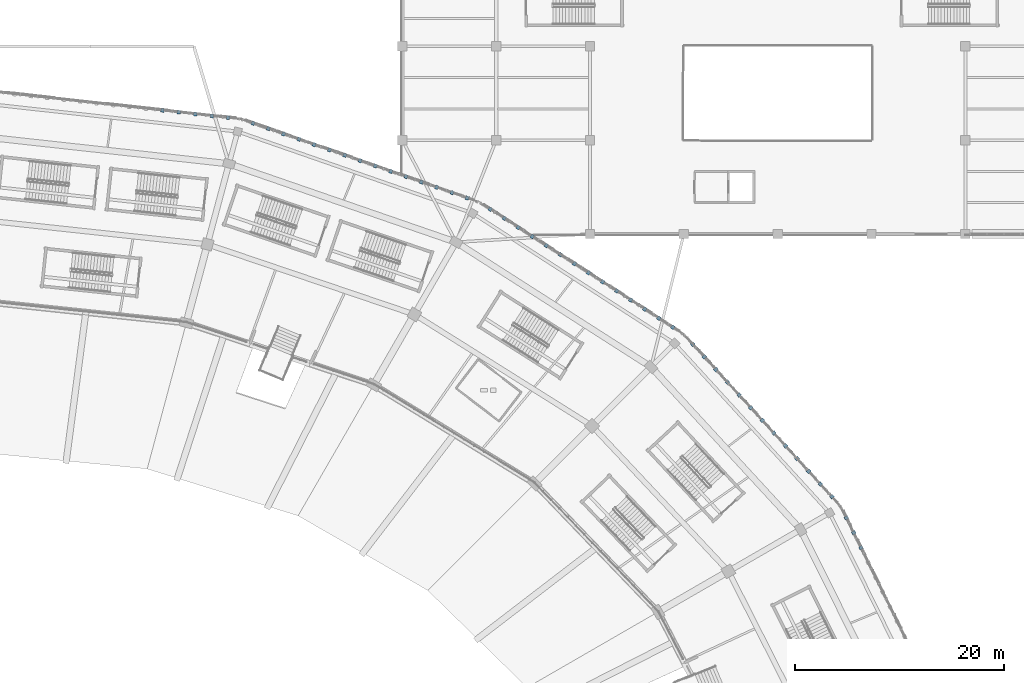
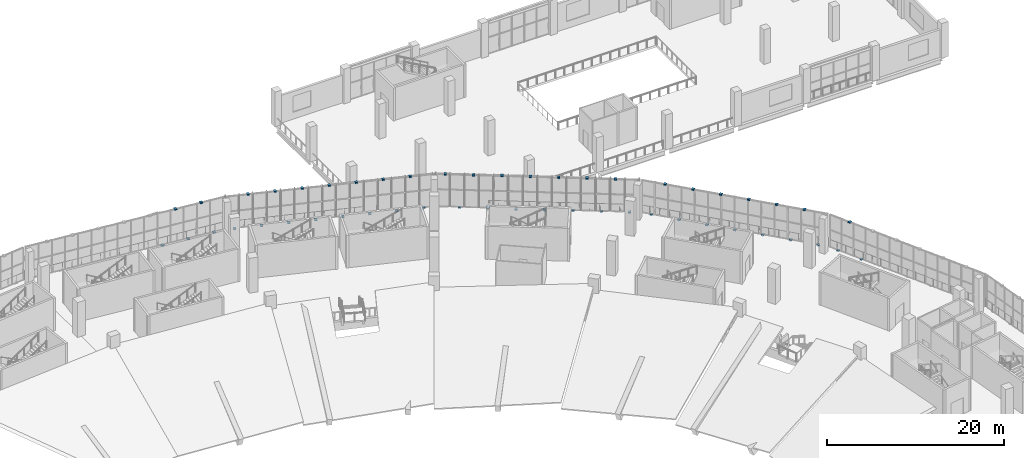
# One storey, part 124 of 183: 50 discrete accessories.
"""IFC4 building model written with IfcOpenShell, lengths in metres."""

from ifc_helpers import new_model, si_unit, direction, frame, origin, origin_2d, place, context, subcontext, project, spatial, rectangle, extrude, material, layer, layer_set, type_object, element, save


model = new_model("IFC4")

# Units and contexts
model_context = context("Model", 3, precision=1e-05, world=origin(), true_north=direction((0.0, 1.0)))
body_context = subcontext(model_context, "Body", "Model", "MODEL_VIEW")
ifc_project = project(units=[si_unit("LENGTHUNIT", "METRE"), si_unit("AREAUNIT", "SQUARE_METRE"), si_unit("VOLUMEUNIT", "CUBIC_METRE"), si_unit("PLANEANGLEUNIT", "RADIAN"), si_unit("MASSUNIT", "GRAM", prefix="KILO")], contexts=[model_context])

# Site, building, storey
site_placement = place(None, origin())
site = spatial("IfcSite", under=ifc_project, at=site_placement, CompositionType="ELEMENT")
building_placement = place(site_placement, origin())
building = spatial("IfcBuilding", under=site, at=building_placement, Name="Zevraka Park Crest Stadium", CompositionType="ELEMENT")
storey_placement = place(building_placement, frame((0.0, 0.0, 5.39990234375)))
storey = spatial("IfcBuildingStorey", under=building, at=storey_placement, Name="L01", CompositionType="ELEMENT", Elevation=5.39990234375)

# Discrete accessories
ifc_material = material(Name="Galvanised steel bracketry", Category="steel")
ifc_layer = layer(ifc_material, 0.1201171875)
ifc_layer_set = layer_set([ifc_layer], Name="Galvanised steel bracketry")
discrete_accessory_type = type_object("IfcDiscreteAccessoryType", Name="BRK01", PredefinedType="BRACKET", material=ifc_layer_set)
for number, where, z_axis, x_axis, name in (
    (1, (195.989013671875, 127.924072265625, -0.15966796875), (0.0, 0.0, 1.0), (-0.441505852792, 0.897258369674, 0.0), "Bronze Screen Carrier Bracket BRK01 L01-01-11"),
    (2, (195.291015625, 129.343017578125, 4.38037109375), (0.0, 0.0, 1.0), (-0.441505852792, 0.897258369674, 0.0), "Bronze Screen Carrier Bracket BRK01 L01-01-12"),
    (3, (194.593017578125, 130.760986328125, -0.15966796875), (0.0, 0.0, 1.0), (-0.441505852792, 0.897258369674, 0.0), "Bronze Screen Carrier Bracket BRK01 L01-01-13"),
    (4, (193.196044921875, 132.802978515625, -0.15966796875), (0.0, 0.0, 1.0), (-0.673657707057, 0.739043499209, 0.0), "Bronze Screen Carrier Bracket BRK01 L01-02-1"),
    (5, (192.083984375, 134.02294921875, 4.38037109375), (0.0, 0.0, 1.0), (-0.673657707057, 0.739043499209, 0.0), "Bronze Screen Carrier Bracket BRK01 L01-02-2"),
    (6, (190.970947265625, 135.242919921875, -0.15966796875), (0.0, 0.0, 1.0), (-0.673657707057, 0.739043499209, 0.0), "Bronze Screen Carrier Bracket BRK01 L01-02-3"),
    (7, (189.85888671875, 136.462890625, 4.38037109375), (0.0, 0.0, 1.0), (-0.673657707057, 0.739043499209, 0.0), "Bronze Screen Carrier Bracket BRK01 L01-02-4"),
    (8, (188.7470703125, 137.68310546875, -0.15966796875), (0.0, 0.0, 1.0), (-0.673657707057, 0.739043499209, 0.0), "Bronze Screen Carrier Bracket BRK01 L01-02-5"),
    (9, (187.635009765625, 138.903076171875, 4.38037109375), (0.0, 0.0, 1.0), (-0.673657707057, 0.739043499209, 0.0), "Bronze Screen Carrier Bracket BRK01 L01-02-6"),
    (10, (186.52197265625, 140.1240234375, -0.15966796875), (0.0, 0.0, 1.0), (-0.673657707057, 0.739043499209, 0.0), "Bronze Screen Carrier Bracket BRK01 L01-02-7"),
    (11, (185.409912109375, 141.343994140625, 4.38037109375), (0.0, 0.0, 1.0), (-0.673657707057, 0.739043499209, 0.0), "Bronze Screen Carrier Bracket BRK01 L01-02-8"),
    (12, (184.298095703125, 142.56396484375, -0.15966796875), (0.0, 0.0, 1.0), (-0.673657707057, 0.739043499209, 0.0), "Bronze Screen Carrier Bracket BRK01 L01-02-9"),
    (13, (183.18603515625, 143.783935546875, 4.38037109375), (0.0, 0.0, 1.0), (-0.673657707057, 0.739043499209, 0.0), "Bronze Screen Carrier Bracket BRK01 L01-02-10"),
    (14, (182.073974609375, 145.00390625, -0.15966796875), (0.0, 0.0, 1.0), (-0.673657707057, 0.739043499209, 0.0), "Bronze Screen Carrier Bracket BRK01 L01-02-11"),
    (15, (180.9609375, 146.22412109375, 4.38037109375), (0.0, 0.0, 1.0), (-0.673657707057, 0.739043499209, 0.0), "Bronze Screen Carrier Bracket BRK01 L01-02-12"),
    (16, (179.84912109375, 147.444091796875, -0.15966796875), (0.0, 0.0, 1.0), (-0.673657707057, 0.739043499209, 0.0), "Bronze Screen Carrier Bracket BRK01 L01-02-13"),
    (17, (177.948974609375, 149.056884765625, -0.15966796875), (0.0, 0.0, 1.0), (-0.839998867196, 0.542588152386, 0.0), "Bronze Screen Carrier Bracket BRK01 L01-03-1"),
    (18, (176.60009765625, 149.927978515625, 4.38037109375), (0.0, 0.0, 1.0), (-0.839998867196, 0.542588152386, 0.0), "Bronze Screen Carrier Bracket BRK01 L01-03-2"),
    (19, (175.251953125, 150.799072265625, -0.15966796875), (0.0, 0.0, 1.0), (-0.839998867196, 0.542588152386, 0.0), "Bronze Screen Carrier Bracket BRK01 L01-03-3"),
    (20, (173.903076171875, 151.669921875, 4.38037109375), (0.0, 0.0, 1.0), (-0.839998867196, 0.542588152386, 0.0), "Bronze Screen Carrier Bracket BRK01 L01-03-4"),
    (21, (172.554931640625, 152.541015625, -0.15966796875), (0.0, 0.0, 1.0), (-0.839998867196, 0.542588152386, 0.0), "Bronze Screen Carrier Bracket BRK01 L01-03-5"),
    (22, (171.20703125, 153.412109375, 4.38037109375), (0.0, 0.0, 1.0), (-0.839998867196, 0.542588152386, 0.0), "Bronze Screen Carrier Bracket BRK01 L01-03-6"),
    (23, (169.85791015625, 154.282958984375, -0.15966796875), (0.0, 0.0, 1.0), (-0.839998867196, 0.542588152386, 0.0), "Bronze Screen Carrier Bracket BRK01 L01-03-7"),
    (24, (168.510009765625, 155.153076171875, 4.38037109375), (0.0, 0.0, 1.0), (-0.839998867196, 0.542588152386, 0.0), "Bronze Screen Carrier Bracket BRK01 L01-03-8"),
    (25, (167.160888671875, 156.02392578125, -0.15966796875), (0.0, 0.0, 1.0), (-0.839998867196, 0.542588152386, 0.0), "Bronze Screen Carrier Bracket BRK01 L01-03-9"),
    (26, (165.81298828125, 156.89501953125, 4.38037109375), (0.0, 0.0, 1.0), (-0.839998867196, 0.542588152386, 0.0), "Bronze Screen Carrier Bracket BRK01 L01-03-10"),
    (27, (164.465087890625, 157.76611328125, -0.15966796875), (0.0, 0.0, 1.0), (-0.839998867196, 0.542588152386, 0.0), "Bronze Screen Carrier Bracket BRK01 L01-03-11"),
    (28, (163.115966796875, 158.636962890625, 4.38037109375), (0.0, 0.0, 1.0), (-0.839998867196, 0.542588152386, 0.0), "Bronze Screen Carrier Bracket BRK01 L01-03-12"),
    (29, (161.76806640625, 159.508056640625, -0.15966796875), (0.0, 0.0, 1.0), (-0.839998867196, 0.542588152386, 0.0), "Bronze Screen Carrier Bracket BRK01 L01-03-13"),
    (30, (160.4189453125, 160.37890625, 4.38037109375), (0.0, 0.0, 1.0), (-0.839998867196, 0.542588152386, 0.0), "Bronze Screen Carrier Bracket BRK01 L01-03-14"),
    (31, (158.220947265625, 161.4560546875, -0.15966796875), (0.0, 0.0, 1.0), (-0.944261516589, 0.329196276237, 0.0), "Bronze Screen Carrier Bracket BRK01 L01-04-1"),
    (32, (156.75390625, 161.968017578125, 4.38037109375), (0.0, 0.0, 1.0), (-0.944261516589, 0.329196276237, 0.0), "Bronze Screen Carrier Bracket BRK01 L01-04-2"),
    (33, (155.285888671875, 162.47900390625, -0.15966796875), (0.0, 0.0, 1.0), (-0.944261516589, 0.329196276237, 0.0), "Bronze Screen Carrier Bracket BRK01 L01-04-3"),
    (34, (153.818115234375, 162.990966796875, 4.38037109375), (0.0, 0.0, 1.0), (-0.944261516589, 0.329196276237, 0.0), "Bronze Screen Carrier Bracket BRK01 L01-04-4"),
    (35, (152.35107421875, 163.5029296875, -0.15966796875), (0.0, 0.0, 1.0), (-0.944261516589, 0.329196276237, 0.0), "Bronze Screen Carrier Bracket BRK01 L01-04-5"),
    (36, (150.883056640625, 164.014892578125, 4.38037109375), (0.0, 0.0, 1.0), (-0.944261516589, 0.329196276237, 0.0), "Bronze Screen Carrier Bracket BRK01 L01-04-6"),
    (37, (149.416015625, 164.52587890625, -0.15966796875), (0.0, 0.0, 1.0), (-0.944261516589, 0.329196276237, 0.0), "Bronze Screen Carrier Bracket BRK01 L01-04-7"),
    (38, (147.947998046875, 165.0380859375, 4.38037109375), (0.0, 0.0, 1.0), (-0.944261516589, 0.329196276237, 0.0), "Bronze Screen Carrier Bracket BRK01 L01-04-8"),
    (39, (146.47998046875, 165.550048828125, -0.15966796875), (0.0, 0.0, 1.0), (-0.944261516589, 0.329196276237, 0.0), "Bronze Screen Carrier Bracket BRK01 L01-04-9"),
    (40, (145.012939453125, 166.06103515625, 4.38037109375), (0.0, 0.0, 1.0), (-0.944261516589, 0.329196276237, 0.0), "Bronze Screen Carrier Bracket BRK01 L01-04-10"),
    (41, (143.544921875, 166.572998046875, -0.15966796875), (0.0, 0.0, 1.0), (-0.944261516589, 0.329196276237, 0.0), "Bronze Screen Carrier Bracket BRK01 L01-04-11"),
    (42, (142.077880859375, 167.0849609375, 4.38037109375), (0.0, 0.0, 1.0), (-0.944261516589, 0.329196276237, 0.0), "Bronze Screen Carrier Bracket BRK01 L01-04-12"),
    (43, (140.610107421875, 167.596923828125, -0.15966796875), (0.0, 0.0, 1.0), (-0.944261516589, 0.329196276237, 0.0), "Bronze Screen Carrier Bracket BRK01 L01-04-13"),
    (44, (139.14208984375, 168.10791015625, 4.38037109375), (0.0, 0.0, 1.0), (-0.944261516589, 0.329196276237, 0.0), "Bronze Screen Carrier Bracket BRK01 L01-04-14"),
    (45, (137.675048828125, 168.6201171875, -0.15966796875), (0.0, 0.0, 1.0), (-0.944261516589, 0.329196276237, 0.0), "Bronze Screen Carrier Bracket BRK01 L01-04-15"),
    (46, (135.2939453125, 169.157958984375, -0.15966796875), (0.0, 0.0, 1.0), (-0.9939225904, 0.110081262225, 0.0), "Bronze Screen Carrier Bracket BRK01 L01-05-1"),
    (47, (133.718017578125, 169.3330078125, 4.38037109375), (0.0, 0.0, 1.0), (-0.9939225904, 0.110081262225, 0.0), "Bronze Screen Carrier Bracket BRK01 L01-05-2"),
    (48, (132.14111328125, 169.507080078125, -0.15966796875), (0.0, 0.0, 1.0), (-0.9939225904, 0.110081262225, 0.0), "Bronze Screen Carrier Bracket BRK01 L01-05-3"),
    (49, (130.56494140625, 169.681884765625, 4.38037109375), (0.0, 0.0, 1.0), (-0.9939225904, 0.110081262225, 0.0), "Bronze Screen Carrier Bracket BRK01 L01-05-4"),
    (50, (128.989013671875, 169.85693359375, -0.15966796875), (0.0, 0.0, 1.0), (-0.9939225904, 0.110081262225, 0.0), "Bronze Screen Carrier Bracket BRK01 L01-05-5"),
):
    element("IfcDiscreteAccessory", number, at=place(storey_placement, frame(where, z_axis=z_axis, x_axis=x_axis)), inside=storey, type_object=discrete_accessory_type, Name=name, PredefinedType="BRACKET", context=body_context, shape_type="SweptSolid", body=[
        extrude(rectangle(XDim=0.320068359375, YDim=0.360107421875, at=origin_2d()), origin(), (0.0, 0.0, 1.0), 0.159912109375),
    ])

save(model, "model.ifc")
